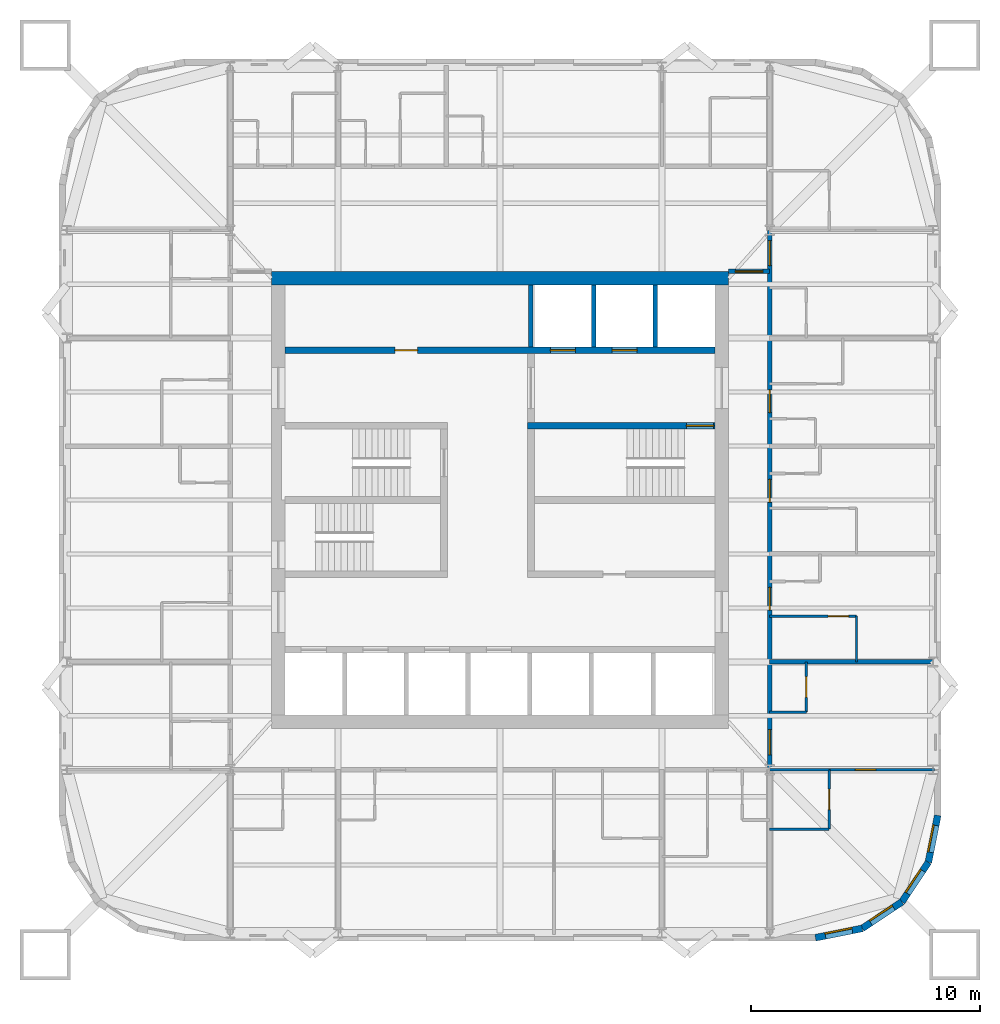
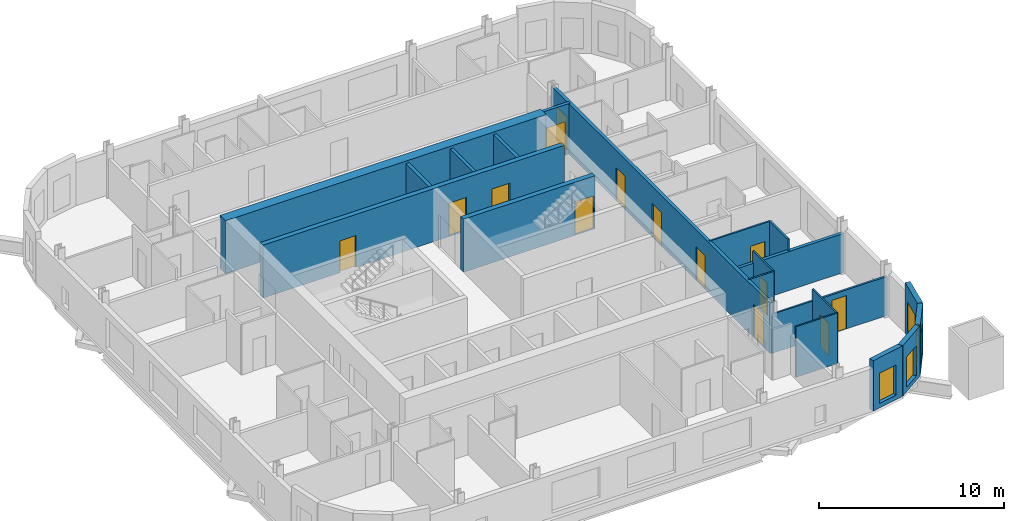
# One storey, part 5 of 9: 21 walls, 14 doors, 4 windows, 18 openings.
"""IFC4 building model written with IfcOpenShell, lengths in metres."""

from ifc_helpers import new_model, si_unit, direction, frame, frame_2d, origin, place, context, subcontext, project, spatial, rectangle, extrude, material, layer, layer_set, type_object, element, fill, save


model = new_model("IFC4")

# Units and contexts
model_context = context("Model", 3, precision=1e-05, world=origin(), true_north=direction((0.0, 1.0)))
body_context = subcontext(model_context, "Body", "Model", "MODEL_VIEW")
ifc_project = project(units=[si_unit("LENGTHUNIT", "METRE"), si_unit("AREAUNIT", "SQUARE_METRE"), si_unit("VOLUMEUNIT", "CUBIC_METRE"), si_unit("PLANEANGLEUNIT", "RADIAN"), si_unit("MASSUNIT", "GRAM", prefix="KILO")], contexts=[model_context])

# Site, building, storey
site_placement = place(None, origin())
site = spatial("IfcSite", under=ifc_project, at=site_placement, CompositionType="ELEMENT")
building_placement = place(site_placement, origin())
building = spatial("IfcBuilding", under=site, at=building_placement, Name="Turquesa Mirador Hotel Tower", CompositionType="ELEMENT")
storey_placement = place(building_placement, frame((0.0, 0.0, 203.800048828125)))
storey = spatial("IfcBuildingStorey", under=building, at=storey_placement, Name="L55", CompositionType="ELEMENT", Elevation=203.800048828125)

# Walls
ifc_material_1 = material(Name="Gypsum board on steel studs", Category="steel")
ifc_layer_1 = layer(ifc_material_1, 0.10009765625)
ifc_layer_set_1 = layer_set([ifc_layer_1], Name="BATHROOM WALL 100")
wall_type_1 = type_object("IfcWallType", Name="BATHROOM WALL 100", PredefinedType="PARTITIONING", material=ifc_layer_set_1)
wall_1_placement = place(storey_placement, frame((66.800048828125, 33.199951171875, 0.0), z_axis=(0.0, 0.0, 1.0), x_axis=(1.0, 0.0, 0.0)))
element("IfcWall", 1, at=wall_1_placement, inside=storey, type_object=wall_type_1, Name="Partition L55 002", PredefinedType="PARTITIONING", context=body_context, shape_type="SweptSolid", body=[
    extrude(rectangle(XDim=2.599853515625, YDim=0.10009765625, at=frame_2d((1.2998046875, 0.0))), origin(), (0.0, 0.0, 1.0), 2.572998046875),
])
wall_2_placement = place(storey_placement, frame((66.800048828125, 30.60009765625, 0.0), z_axis=(0.0, 0.0, 1.0), x_axis=(1.0, 0.0, 0.0)))
element("IfcWall", 2, at=wall_2_placement, inside=storey, type_object=wall_type_1, Name="Partition L55 009", PredefinedType="PARTITIONING", context=body_context, shape_type="SweptSolid", body=[
    extrude(rectangle(XDim=2.599853515625, YDim=0.10009765625, at=frame_2d((1.2998046875, 0.0))), origin(), (0.0, 0.0, 1.0), 3.329833984375),
])

# Wall, opening, door
wall_3_placement = place(storey_placement, frame((66.800048828125, 39.919921875, 0.0), z_axis=(0.0, 0.0, 1.0), x_axis=(1.0, 0.0, 0.0)))
wall_3 = element("IfcWall", 3, at=wall_3_placement, inside=storey, type_object=wall_type_1, Name="Partition L55 015", PredefinedType="PARTITIONING", context=body_context, shape_type="SweptSolid", body=[
    extrude(rectangle(XDim=3.800048828125, YDim=0.10009765625, at=frame_2d((1.89990234375, 0.0))), origin(), (0.0, 0.0, 1.0), 3.329833984375),
])
opening_1_placement = place(wall_3_placement, frame((2.550048828125, 0.0, 0.0)))
opening_1 = element("IfcOpeningElement", 4, at=opening_1_placement, cuts=wall_3, Name="Opening D02", PredefinedType="OPENING", context=body_context, shape_type="SweptSolid", body=[
    extrude(rectangle(XDim=0.89990234375, YDim=2.10009765625, at=frame_2d((0.449951171875, 1.050048828125))), frame((0.0, 0.06005859375, 0.0), z_axis=(0.0, -1.0, 0.0), x_axis=(1.0, 0.0, 0.0)), (0.0, 0.0, 1.0), 0.1201171875),
])
ifc_material_2 = material(Name="Timber veneered door", Category="wood")
door_type_1 = type_object("IfcDoorType", Name="DOOR 900X2100 EN-SUITE", OperationType="SINGLE_SWING_RIGHT", PredefinedType="DOOR", material=ifc_material_2)
door_1_placement = place(opening_1_placement, origin())
door_1 = element("IfcDoor", 5, at=door_1_placement, inside=storey, type_object=door_type_1, Name="Door 5507B", OperationType="SINGLE_SWING_RIGHT", OverallHeight=2.10009765625, OverallWidth=0.89990234375, PredefinedType="DOOR", context=body_context, shape_type="SweptSolid", body=[
    extrude(rectangle(XDim=0.89990234375, YDim=2.10009765625, at=frame_2d((0.449951171875, 1.050048828125))), frame((0.0, 0.02490234375, 0.0), z_axis=(0.0, -1.0, 0.0), x_axis=(1.0, 0.0, 0.0)), (0.0, 0.0, 1.0), 0.050048828125),
])
fill(opening_1, door_1)

# Wall
wall_4_placement = place(storey_placement, frame((66.800048828125, 35.719970703125, 0.0), z_axis=(0.0, 0.0, 1.0), x_axis=(1.0, 0.0, 0.0)))
element("IfcWall", 6, at=wall_4_placement, inside=storey, type_object=wall_type_1, Name="Partition L55 018", PredefinedType="PARTITIONING", context=body_context, shape_type="SweptSolid", body=[
    extrude(rectangle(XDim=1.599853515625, YDim=0.10009765625, at=frame_2d((0.7998046875, 0.0))), origin(), (0.0, 0.0, 1.0), 3.329833984375),
])

# Wall, opening, door
wall_5_placement = place(storey_placement, frame((68.39990234375, 35.719970703125, 0.0), z_axis=(0.0, 0.0, 1.0), x_axis=(0.0, 1.0, 0.0)))
wall_5 = element("IfcWall", 7, at=wall_5_placement, inside=storey, type_object=wall_type_1, Name="Partition L55 069", PredefinedType="PARTITIONING", context=body_context, shape_type="SweptSolid", body=[
    extrude(rectangle(XDim=2.199951171875, YDim=0.10009765625, at=frame_2d((1.10009765625, 0.0))), origin(), (0.0, 0.0, 1.0), 3.329833984375),
])
opening_2_placement = place(wall_5_placement, frame((0.64990234375, 0.0, 0.0)))
opening_2 = element("IfcOpeningElement", 8, at=opening_2_placement, cuts=wall_5, Name="Opening D06", PredefinedType="OPENING", context=body_context, shape_type="SweptSolid", body=[
    extrude(rectangle(XDim=0.89990234375, YDim=2.10009765625, at=frame_2d((0.449951171875, 1.050048828125))), frame((0.0, 0.06005859375, 0.0), z_axis=(0.0, -1.0, 0.0), x_axis=(1.0, 0.0, 0.0)), (0.0, 0.0, 1.0), 0.1201171875),
])
ifc_material_3 = material(Name="Laminate door", Category="wood")
door_type_2 = type_object("IfcDoorType", Name="DOOR 900X2100 WC", OperationType="SINGLE_SWING_LEFT", PredefinedType="DOOR", material=ifc_material_3)
door_2_placement = place(opening_2_placement, origin())
door_2 = element("IfcDoor", 9, at=door_2_placement, inside=storey, type_object=door_type_2, Name="Door 5515W", OperationType="SINGLE_SWING_LEFT", OverallHeight=2.10009765625, OverallWidth=0.89990234375, PredefinedType="DOOR", context=body_context, shape_type="SweptSolid", body=[
    extrude(rectangle(XDim=0.89990234375, YDim=2.10009765625, at=frame_2d((0.449951171875, 1.050048828125))), frame((0.0, 0.02490234375, 0.0), z_axis=(0.0, -1.0, 0.0), x_axis=(1.0, 0.0, 0.0)), (0.0, 0.0, 1.0), 0.050048828125),
])
fill(opening_2, door_2)

wall_6_placement = place(storey_placement, frame((69.39990234375, 30.60009765625, 0.0), z_axis=(0.0, 0.0, 1.0), x_axis=(0.0, 1.0, 0.0)))
wall_6 = element("IfcWall", 10, at=wall_6_placement, inside=storey, type_object=wall_type_1, Name="Partition L55 074", PredefinedType="PARTITIONING", context=body_context, shape_type="SweptSolid", body=[
    extrude(rectangle(XDim=2.599853515625, YDim=0.10009765625, at=frame_2d((1.2998046875, 0.0))), origin(), (0.0, 0.0, 1.0), 3.329833984375),
])
opening_3_placement = place(wall_6_placement, frame((0.85009765625, 0.0, 0.0)))
opening_3 = element("IfcOpeningElement", 11, at=opening_3_placement, cuts=wall_6, Name="Opening D02", PredefinedType="OPENING", context=body_context, shape_type="SweptSolid", body=[
    extrude(rectangle(XDim=0.89990234375, YDim=2.10009765625, at=frame_2d((0.449951171875, 1.050048828125))), frame((0.0, 0.06005859375, 0.0), z_axis=(0.0, -1.0, 0.0), x_axis=(1.0, 0.0, 0.0)), (0.0, 0.0, 1.0), 0.1201171875),
])
door_3_placement = place(opening_3_placement, origin())
door_3 = element("IfcDoor", 12, at=door_3_placement, inside=storey, type_object=door_type_1, Name="Door 5515B", OperationType="SINGLE_SWING_RIGHT", OverallHeight=2.10009765625, OverallWidth=0.89990234375, PredefinedType="DOOR", context=body_context, shape_type="SweptSolid", body=[
    extrude(rectangle(XDim=0.89990234375, YDim=2.10009765625, at=frame_2d((0.449951171875, 1.050048828125))), frame((0.0, 0.02490234375, 0.0), z_axis=(0.0, -1.0, 0.0), x_axis=(1.0, 0.0, 0.0)), (0.0, 0.0, 1.0), 0.050048828125),
])
fill(opening_3, door_3)

# Wall
wall_7_placement = place(storey_placement, frame((70.60009765625, 37.919921875, 0.0), z_axis=(0.0, 0.0, 1.0), x_axis=(0.0, 1.0, 0.0)))
element("IfcWall", 13, at=wall_7_placement, inside=storey, type_object=wall_type_1, Name="Partition L55 077", PredefinedType="PARTITIONING", context=body_context, shape_type="SweptSolid", body=[
    extrude(rectangle(XDim=2.0, YDim=0.10009765625, at=frame_2d((1.0, 0.0))), origin(), (0.0, 0.0, 1.0), 3.329833984375),
])

# Wall, openings, doors
ifc_material_4 = material(Name="Concrete C50/60", Category="concrete")
ifc_layer_2 = layer(ifc_material_4, 0.300048828125)
ifc_layer_set_2 = layer_set([ifc_layer_2], Name="CORE INNER WALL 300")
wall_type_2 = type_object("IfcWallType", Name="CORE INNER WALL 300", PredefinedType="SHEAR", material=ifc_layer_set_2)
wall_8_placement = place(storey_placement, frame((45.60009765625, 51.550048828125, 0.0), z_axis=(0.0, 0.0, 1.0), x_axis=(1.0, 0.0, 0.0)))
wall_8 = element("IfcWall", 14, at=wall_8_placement, inside=storey, type_object=wall_type_2, Name="Core wall NL", PredefinedType="SHEAR", context=body_context, shape_type="SweptSolid", body=[
    extrude(rectangle(XDim=18.7998046875, YDim=0.300048828125, at=frame_2d((9.39990234375, 0.0))), origin(), (0.0, 0.0, 1.0), 3.5),
])
opening_4_placement = place(wall_8_placement, frame((4.800048828125, 0.0, 0.0)))
opening_4 = element("IfcOpeningElement", 15, at=opening_4_placement, cuts=wall_8, Name="Opening D05", PredefinedType="OPENING", context=body_context, shape_type="SweptSolid", body=[
    extrude(rectangle(XDim=1.0, YDim=2.10009765625, at=frame_2d((0.5, 1.050048828125))), frame((0.0, 0.159912109375, 0.0), z_axis=(0.0, -1.0, 0.0), x_axis=(1.0, 0.0, 0.0)), (0.0, 0.0, 1.0), 0.320068359375),
])
opening_5_placement = place(wall_8_placement, frame((11.60009765625, 0.0, 0.0)))
opening_5 = element("IfcOpeningElement", 16, at=opening_5_placement, cuts=wall_8, Name="Opening LD", PredefinedType="OPENING", context=body_context, shape_type="SweptSolid", body=[
    extrude(rectangle(XDim=1.10009765625, YDim=2.199951171875, at=frame_2d((0.550048828125, 1.10009765625))), frame((0.0, 0.159912109375, 0.0), z_axis=(0.0, -1.0, 0.0), x_axis=(1.0, 0.0, 0.0)), (0.0, 0.0, 1.0), 0.320068359375),
])
opening_6_placement = place(wall_8_placement, frame((14.300048828125, 0.0, 0.0)))
opening_6 = element("IfcOpeningElement", 17, at=opening_6_placement, cuts=wall_8, Name="Opening LD", PredefinedType="OPENING", context=body_context, shape_type="SweptSolid", body=[
    extrude(rectangle(XDim=1.10009765625, YDim=2.199951171875, at=frame_2d((0.550048828125, 1.10009765625))), frame((0.0, 0.159912109375, 0.0), z_axis=(0.0, -1.0, 0.0), x_axis=(1.0, 0.0, 0.0)), (0.0, 0.0, 1.0), 0.320068359375),
])
ifc_material_5 = material(Name="Steel fire door", Category="steel")
door_type_3 = type_object("IfcDoorType", Name="DOOR 1000X2100 SERVICE", OperationType="SINGLE_SWING_LEFT", PredefinedType="DOOR", material=ifc_material_5)
door_4_placement = place(opening_4_placement, origin())
door_4 = element("IfcDoor", 18, at=door_4_placement, inside=storey, type_object=door_type_3, Name="Linen store door", OperationType="SINGLE_SWING_LEFT", OverallHeight=2.10009765625, OverallWidth=1.0, PredefinedType="DOOR", context=body_context, shape_type="SweptSolid", body=[
    extrude(rectangle(XDim=1.0, YDim=2.10009765625, at=frame_2d((0.5, 1.050048828125))), frame((0.0, 0.02490234375, 0.0), z_axis=(0.0, -1.0, 0.0), x_axis=(1.0, 0.0, 0.0)), (0.0, 0.0, 1.0), 0.050048828125),
])
fill(opening_4, door_4)
ifc_material_6 = material(Name="Stainless steel lift landing door", Category="steel")
door_type_4 = type_object("IfcDoorType", Name="LIFT LANDING DOOR 1100X2200", OperationType="SLIDING_TO_LEFT", PredefinedType="DOOR", material=ifc_material_6)
door_5_placement = place(opening_5_placement, origin())
door_5 = element("IfcDoor", 19, at=door_5_placement, inside=storey, type_object=door_type_4, Name="Lift S1 landing door", OperationType="SLIDING_TO_LEFT", OverallHeight=2.199951171875, OverallWidth=1.10009765625, PredefinedType="DOOR", context=body_context, shape_type="SweptSolid", body=[
    extrude(rectangle(XDim=1.10009765625, YDim=2.199951171875, at=frame_2d((0.550048828125, 1.10009765625))), frame((0.0, 0.02490234375, 0.0), z_axis=(0.0, -1.0, 0.0), x_axis=(1.0, 0.0, 0.0)), (0.0, 0.0, 1.0), 0.050048828125),
])
fill(opening_5, door_5)
door_6_placement = place(opening_6_placement, origin())
door_6 = element("IfcDoor", 20, at=door_6_placement, inside=storey, type_object=door_type_4, Name="Lift S2 landing door", OperationType="SLIDING_TO_LEFT", OverallHeight=2.199951171875, OverallWidth=1.10009765625, PredefinedType="DOOR", context=body_context, shape_type="SweptSolid", body=[
    extrude(rectangle(XDim=1.10009765625, YDim=2.199951171875, at=frame_2d((0.550048828125, 1.10009765625))), frame((0.0, 0.02490234375, 0.0), z_axis=(0.0, -1.0, 0.0), x_axis=(1.0, 0.0, 0.0)), (0.0, 0.0, 1.0), 0.050048828125),
])
fill(opening_6, door_6)

# Wall, opening, door
wall_9_placement = place(storey_placement, frame((56.199951171875, 48.25, 0.0), z_axis=(0.0, 0.0, 1.0), x_axis=(1.0, 0.0, 0.0)))
wall_9 = element("IfcWall", 21, at=wall_9_placement, inside=storey, type_object=wall_type_2, Name="Core wall MN-E", PredefinedType="SHEAR", context=body_context, shape_type="SweptSolid", body=[
    extrude(rectangle(XDim=8.199951171875, YDim=0.300048828125, at=frame_2d((4.10009765625, 0.0))), origin(), (0.0, 0.0, 1.0), 3.5),
])
opening_7_placement = place(wall_9_placement, frame((6.949951171875, 0.0, 0.0)))
opening_7 = element("IfcOpeningElement", 22, at=opening_7_placement, cuts=wall_9, Name="Opening D03", PredefinedType="OPENING", context=body_context, shape_type="SweptSolid", body=[
    extrude(rectangle(XDim=1.199951171875, YDim=2.199951171875, at=frame_2d((0.60009765625, 1.10009765625))), frame((0.0, 0.159912109375, 0.0), z_axis=(0.0, -1.0, 0.0), x_axis=(1.0, 0.0, 0.0)), (0.0, 0.0, 1.0), 0.320068359375),
])
ifc_material_7 = material(Name="Steel fire door", Category="steel")
door_type_5 = type_object("IfcDoorType", Name="DOOR 1200X2200 STAIR", OperationType="SINGLE_SWING_LEFT", PredefinedType="DOOR", material=ifc_material_7)
door_7_placement = place(opening_7_placement, origin())
door_7 = element("IfcDoor", 23, at=door_7_placement, inside=storey, type_object=door_type_5, Name="Stair ST3 door", OperationType="SINGLE_SWING_LEFT", OverallHeight=2.199951171875, OverallWidth=1.199951171875, PredefinedType="DOOR", context=body_context, shape_type="SweptSolid", body=[
    extrude(rectangle(XDim=1.199951171875, YDim=2.199951171875, at=frame_2d((0.60009765625, 1.10009765625))), frame((0.0, 0.02490234375, 0.0), z_axis=(0.0, -1.0, 0.0), x_axis=(1.0, 0.0, 0.0)), (0.0, 0.0, 1.0), 0.050048828125),
])
fill(opening_7, door_7)

# Wall
ifc_material_8 = material(Name="Concrete C50/60", Category="concrete")
ifc_layer_3 = layer(ifc_material_8, 0.60009765625)
ifc_layer_set_3 = layer_set([ifc_layer_3], Name="CORE WALL 600")
wall_type_3 = type_object("IfcWallType", Name="CORE WALL 600", PredefinedType="SHEAR", material=ifc_layer_set_3)
wall_10_placement = place(storey_placement, frame((45.0, 54.699951171875, 0.0), z_axis=(0.0, 0.0, 1.0), x_axis=(1.0, 0.0, 0.0)))
element("IfcWall", 24, at=wall_10_placement, inside=storey, type_object=wall_type_3, Name="Core wall N", PredefinedType="SHEAR", context=body_context, shape_type="SweptSolid", body=[
    extrude(rectangle(XDim=20.0, YDim=0.60009765625, at=frame_2d((10.0, 0.0))), origin(), (0.0, 0.0, 1.0), 3.5),
])

# Wall, opening, door
ifc_material_9 = material(Name="Fire-rated gypsum board on steel studs", Category="steel")
ifc_layer_4 = layer(ifc_material_9, 0.199951171875)
ifc_layer_set_4 = layer_set([ifc_layer_4], Name="CORRIDOR WALL 200")
wall_type_4 = type_object("IfcWallType", Name="CORRIDOR WALL 200", PredefinedType="PARTITIONING", material=ifc_layer_set_4)
wall_11_placement = place(storey_placement, frame((65.0, 55.0, 0.0), z_axis=(0.0, 0.0, 1.0), x_axis=(1.0, 0.0, 0.0)))
wall_11 = element("IfcWall", 25, at=wall_11_placement, inside=storey, type_object=wall_type_4, Name="Partition L55 023", PredefinedType="PARTITIONING", context=body_context, shape_type="SweptSolid", body=[
    extrude(rectangle(XDim=1.800048828125, YDim=0.199951171875, at=frame_2d((0.89990234375, 0.0))), origin(), (0.0, 0.0, 1.0), 3.329833984375),
])
opening_8_placement = place(wall_11_placement, frame((0.300048828125, 0.0, 0.0)))
opening_8 = element("IfcOpeningElement", 26, at=opening_8_placement, cuts=wall_11, Name="Opening D19", PredefinedType="OPENING", context=body_context, shape_type="SweptSolid", body=[
    extrude(rectangle(XDim=1.199951171875, YDim=2.199951171875, at=frame_2d((0.60009765625, 1.10009765625))), frame((0.0, 0.10986328125, 0.0), z_axis=(0.0, -1.0, 0.0), x_axis=(1.0, 0.0, 0.0)), (0.0, 0.0, 1.0), 0.219970703125),
])
ifc_material_10 = material(Name="Steel glazed fire door", Category="steel")
door_type_6 = type_object("IfcDoorType", Name="DOOR 1200X2200 FIRE DOOR GLAZED", OperationType="SINGLE_SWING_LEFT", PredefinedType="DOOR", material=ifc_material_10)
door_8_placement = place(opening_8_placement, origin())
door_8 = element("IfcDoor", 27, at=door_8_placement, inside=storey, type_object=door_type_6, Name="Door L55-C03-1", OperationType="SINGLE_SWING_LEFT", OverallHeight=2.199951171875, OverallWidth=1.199951171875, PredefinedType="DOOR", context=body_context, shape_type="SweptSolid", body=[
    extrude(rectangle(XDim=1.199951171875, YDim=2.199951171875, at=frame_2d((0.60009765625, 1.10009765625))), frame((0.0, 0.02490234375, 0.0), z_axis=(0.0, -1.0, 0.0), x_axis=(1.0, 0.0, 0.0)), (0.0, 0.0, 1.0), 0.050048828125),
])
fill(opening_8, door_8)

# Wall, openings, doors
wall_12_placement = place(storey_placement, frame((66.800048828125, 33.199951171875, 0.0), z_axis=(0.0, 0.0, 1.0), x_axis=(0.0, 1.0, 0.0)))
wall_12 = element("IfcWall", 28, at=wall_12_placement, inside=storey, type_object=wall_type_4, Name="Partition L55 066", PredefinedType="PARTITIONING", context=body_context, shape_type="SweptSolid", body=[
    extrude(rectangle(XDim=23.580078125, YDim=0.199951171875, at=frame_2d((11.7900390625, 0.0))), origin(), (0.0, 0.0, 1.0), 3.329833984375),
])
opening_9_placement = place(wall_12_placement, frame((6.97998046875, 0.0, 0.0)))
opening_9 = element("IfcOpeningElement", 29, at=opening_9_placement, cuts=wall_12, Name="Opening D01", PredefinedType="OPENING", context=body_context, shape_type="SweptSolid", body=[
    extrude(rectangle(XDim=1.0, YDim=2.199951171875, at=frame_2d((0.5, 1.10009765625))), frame((0.0, 0.10986328125, 0.0), z_axis=(0.0, -1.0, 0.0), x_axis=(1.0, 0.0, 0.0)), (0.0, 0.0, 1.0), 0.219970703125),
])
opening_10_placement = place(wall_12_placement, frame((11.699951171875, 0.0, 0.0)))
opening_10 = element("IfcOpeningElement", 30, at=opening_10_placement, cuts=wall_12, Name="Opening D01", PredefinedType="OPENING", context=body_context, shape_type="SweptSolid", body=[
    extrude(rectangle(XDim=1.0, YDim=2.199951171875, at=frame_2d((0.5, 1.10009765625))), frame((0.0, 0.10986328125, 0.0), z_axis=(0.0, -1.0, 0.0), x_axis=(1.0, 0.0, 0.0)), (0.0, 0.0, 1.0), 0.219970703125),
])
opening_11_placement = place(wall_12_placement, frame((15.6201171875, 0.0, 0.0)))
opening_11 = element("IfcOpeningElement", 31, at=opening_11_placement, cuts=wall_12, Name="Opening D01", PredefinedType="OPENING", context=body_context, shape_type="SweptSolid", body=[
    extrude(rectangle(XDim=1.0, YDim=2.199951171875, at=frame_2d((0.5, 1.10009765625))), frame((0.0, 0.10986328125, 0.0), z_axis=(0.0, -1.0, 0.0), x_axis=(1.0, 0.0, 0.0)), (0.0, 0.0, 1.0), 0.219970703125),
])
opening_12_placement = place(wall_12_placement, frame((22.050048828125, 0.0, 0.0)))
opening_12 = element("IfcOpeningElement", 32, at=opening_12_placement, cuts=wall_12, Name="Opening D15", PredefinedType="OPENING", context=body_context, shape_type="SweptSolid", body=[
    extrude(rectangle(XDim=1.10009765625, YDim=2.199951171875, at=frame_2d((0.550048828125, 1.10009765625))), frame((0.0, 0.10986328125, 0.0), z_axis=(0.0, -1.0, 0.0), x_axis=(1.0, 0.0, 0.0)), (0.0, 0.0, 1.0), 0.219970703125),
])
opening_13_placement = place(wall_12_placement, frame((0.64990234375, 0.0, 0.0)))
opening_13 = element("IfcOpeningElement", 33, at=opening_13_placement, cuts=wall_12, Name="Opening D15", PredefinedType="OPENING", context=body_context, shape_type="SweptSolid", body=[
    extrude(rectangle(XDim=1.10009765625, YDim=2.199951171875, at=frame_2d((0.550048828125, 1.10009765625))), frame((0.0, 0.10986328125, 0.0), z_axis=(0.0, -1.0, 0.0), x_axis=(1.0, 0.0, 0.0)), (0.0, 0.0, 1.0), 0.219970703125),
])
ifc_material_11 = material(Name="Timber veneered fire door", Category="wood")
door_type_7 = type_object("IfcDoorType", Name="DOOR 1000X2200 GUEST ENTRY", OperationType="SINGLE_SWING_LEFT", PredefinedType="DOOR", material=ifc_material_11)
door_9_placement = place(opening_9_placement, origin())
door_9 = element("IfcDoor", 34, at=door_9_placement, inside=storey, type_object=door_type_7, Name="Door 5507", OperationType="SINGLE_SWING_LEFT", OverallHeight=2.199951171875, OverallWidth=1.0, PredefinedType="DOOR", context=body_context, shape_type="SweptSolid", body=[
    extrude(rectangle(XDim=1.0, YDim=2.199951171875, at=frame_2d((0.5, 1.10009765625))), frame((0.0, 0.02490234375, 0.0), z_axis=(0.0, -1.0, 0.0), x_axis=(1.0, 0.0, 0.0)), (0.0, 0.0, 1.0), 0.050048828125),
])
fill(opening_9, door_9)
door_10_placement = place(opening_10_placement, origin())
door_10 = element("IfcDoor", 35, at=door_10_placement, inside=storey, type_object=door_type_7, Name="Door 5508", OperationType="SINGLE_SWING_LEFT", OverallHeight=2.199951171875, OverallWidth=1.0, PredefinedType="DOOR", context=body_context, shape_type="SweptSolid", body=[
    extrude(rectangle(XDim=1.0, YDim=2.199951171875, at=frame_2d((0.5, 1.10009765625))), frame((0.0, 0.02490234375, 0.0), z_axis=(0.0, -1.0, 0.0), x_axis=(1.0, 0.0, 0.0)), (0.0, 0.0, 1.0), 0.050048828125),
])
fill(opening_10, door_10)
door_11_placement = place(opening_11_placement, origin())
door_11 = element("IfcDoor", 36, at=door_11_placement, inside=storey, type_object=door_type_7, Name="Door 5509", OperationType="SINGLE_SWING_LEFT", OverallHeight=2.199951171875, OverallWidth=1.0, PredefinedType="DOOR", context=body_context, shape_type="SweptSolid", body=[
    extrude(rectangle(XDim=1.0, YDim=2.199951171875, at=frame_2d((0.5, 1.10009765625))), frame((0.0, 0.02490234375, 0.0), z_axis=(0.0, -1.0, 0.0), x_axis=(1.0, 0.0, 0.0)), (0.0, 0.0, 1.0), 0.050048828125),
])
fill(opening_11, door_11)
ifc_material_12 = material(Name="Timber veneered fire door", Category="wood")
door_type_8 = type_object("IfcDoorType", Name="DOOR 1100X2200 SUITE ENTRY", OperationType="SINGLE_SWING_LEFT", PredefinedType="DOOR", material=ifc_material_12)
door_12_placement = place(opening_12_placement, origin())
door_12 = element("IfcDoor", 37, at=door_12_placement, inside=storey, type_object=door_type_8, Name="Door 5512", OperationType="SINGLE_SWING_LEFT", OverallHeight=2.199951171875, OverallWidth=1.10009765625, PredefinedType="DOOR", context=body_context, shape_type="SweptSolid", body=[
    extrude(rectangle(XDim=1.10009765625, YDim=2.199951171875, at=frame_2d((0.550048828125, 1.10009765625))), frame((0.0, 0.02490234375, 0.0), z_axis=(0.0, -1.0, 0.0), x_axis=(1.0, 0.0, 0.0)), (0.0, 0.0, 1.0), 0.050048828125),
])
fill(opening_12, door_12)
door_13_placement = place(opening_13_placement, origin())
door_13 = element("IfcDoor", 38, at=door_13_placement, inside=storey, type_object=door_type_8, Name="Door 5515", OperationType="SINGLE_SWING_LEFT", OverallHeight=2.199951171875, OverallWidth=1.10009765625, PredefinedType="DOOR", context=body_context, shape_type="SweptSolid", body=[
    extrude(rectangle(XDim=1.10009765625, YDim=2.199951171875, at=frame_2d((0.550048828125, 1.10009765625))), frame((0.0, 0.02490234375, 0.0), z_axis=(0.0, -1.0, 0.0), x_axis=(1.0, 0.0, 0.0)), (0.0, 0.0, 1.0), 0.050048828125),
])
fill(opening_13, door_13)

# Wall, opening, window
ifc_material_13 = material(Name="Limestone cladding on concrete block", Category="masonry")
ifc_layer_5 = layer(ifc_material_13, 0.300048828125)
ifc_layer_set_5 = layer_set([ifc_layer_5], Name="FACADE WALL 300 STONE SCREEN")
wall_type_5 = type_object("IfcWallType", Name="FACADE WALL 300 STONE SCREEN", PredefinedType="SOLIDWALL", material=ifc_layer_set_5)
wall_13_placement = place(storey_placement, frame((68.800048828125, 25.85009765625, 0.0), z_axis=(0.0, 0.0, 1.0), x_axis=(0.980787050784, 0.195081421501, 0.0)))
wall_13 = element("IfcWall", 39, at=wall_13_placement, inside=storey, type_object=wall_type_5, Name="Facade wall L55 00", PredefinedType="SOLIDWALL", context=body_context, shape_type="SweptSolid", body=[
    extrude(rectangle(XDim=2.08740234375, YDim=0.300048828125, at=frame_2d((1.043701171875, 0.0))), origin(), (0.0, 0.0, 1.0), 3.329833984375),
])
opening_14_placement = place(wall_13_placement, frame((0.443603515625, 0.0, 0.300048828125)))
opening_14 = element("IfcOpeningElement", 40, at=opening_14_placement, cuts=wall_13, Name="Opening WN4", PredefinedType="OPENING", context=body_context, shape_type="SweptSolid", body=[
    extrude(rectangle(XDim=1.199951171875, YDim=2.0, at=frame_2d((0.60009765625, 1.0))), frame((0.0, 0.159912109375, 0.0), z_axis=(0.0, -1.0, 0.0), x_axis=(1.0, 0.0, 0.0)), (0.0, 0.0, 1.0), 0.320068359375),
])
ifc_material_14 = material(Name="Ceramic-fritted laminated glass", Category="glass")
window_type = type_object("IfcWindowType", Name="FRITTED CORNER WINDOW 1200X2000", PartitioningType="DOUBLE_PANEL_HORIZONTAL", PredefinedType="WINDOW", material=ifc_material_14)
window_1_placement = place(opening_14_placement, origin())
window_1 = element("IfcWindow", 41, at=window_1_placement, inside=storey, type_object=window_type, Name="Window L55", OverallHeight=2.0, OverallWidth=1.199951171875, PartitioningType="SINGLE_PANEL", PredefinedType="WINDOW", context=body_context, shape_type="SweptSolid", body=[
    extrude(rectangle(XDim=1.199951171875, YDim=2.0, at=frame_2d((0.60009765625, 1.0))), frame((0.0, 0.130126953125, 0.0), z_axis=(0.0, -1.0, 0.0), x_axis=(1.0, 0.0, 0.0)), (0.0, 0.0, 1.0), 0.06005859375),
])
fill(opening_14, window_1)

wall_14_placement = place(storey_placement, frame((70.847412109375, 26.25732421875, 0.0), z_axis=(0.0, 0.0, 1.0), x_axis=(0.831474039234, 0.555563607591, 0.0)))
wall_14 = element("IfcWall", 42, at=wall_14_placement, inside=storey, type_object=wall_type_5, Name="Facade wall L55 01", PredefinedType="SOLIDWALL", context=body_context, shape_type="SweptSolid", body=[
    extrude(rectangle(XDim=2.08740234375, YDim=0.300048828125, at=frame_2d((1.043701171875, 0.0))), origin(), (0.0, 0.0, 1.0), 3.329833984375),
])
opening_15_placement = place(wall_14_placement, frame((0.443603515625, 0.0, 0.300048828125)))
opening_15 = element("IfcOpeningElement", 43, at=opening_15_placement, cuts=wall_14, Name="Opening WN4", PredefinedType="OPENING", context=body_context, shape_type="SweptSolid", body=[
    extrude(rectangle(XDim=1.199951171875, YDim=2.0, at=frame_2d((0.60009765625, 1.0))), frame((0.0, 0.159912109375, 0.0), z_axis=(0.0, -1.0, 0.0), x_axis=(1.0, 0.0, 0.0)), (0.0, 0.0, 1.0), 0.320068359375),
])
window_2_placement = place(opening_15_placement, origin())
window_2 = element("IfcWindow", 44, at=window_2_placement, inside=storey, type_object=window_type, Name="Window L55", OverallHeight=2.0, OverallWidth=1.199951171875, PartitioningType="SINGLE_PANEL", PredefinedType="WINDOW", context=body_context, shape_type="SweptSolid", body=[
    extrude(rectangle(XDim=1.199951171875, YDim=2.0, at=frame_2d((0.60009765625, 1.0))), frame((0.0, 0.130126953125, 0.0), z_axis=(0.0, -1.0, 0.0), x_axis=(1.0, 0.0, 0.0)), (0.0, 0.0, 1.0), 0.06005859375),
])
fill(opening_15, window_2)

wall_15_placement = place(storey_placement, frame((72.5830078125, 27.4169921875, 0.0), z_axis=(0.0, 0.0, 1.0), x_axis=(0.555563607591, 0.831474039234, 0.0)))
wall_15 = element("IfcWall", 45, at=wall_15_placement, inside=storey, type_object=wall_type_5, Name="Facade wall L55 02", PredefinedType="SOLIDWALL", context=body_context, shape_type="SweptSolid", body=[
    extrude(rectangle(XDim=2.08740234375, YDim=0.300048828125, at=frame_2d((1.043701171875, 0.0))), origin(), (0.0, 0.0, 1.0), 3.329833984375),
])
opening_16_placement = place(wall_15_placement, frame((0.443603515625, 0.0, 0.300048828125)))
opening_16 = element("IfcOpeningElement", 46, at=opening_16_placement, cuts=wall_15, Name="Opening WN4", PredefinedType="OPENING", context=body_context, shape_type="SweptSolid", body=[
    extrude(rectangle(XDim=1.199951171875, YDim=2.0, at=frame_2d((0.60009765625, 1.0))), frame((0.0, 0.159912109375, 0.0), z_axis=(0.0, -1.0, 0.0), x_axis=(1.0, 0.0, 0.0)), (0.0, 0.0, 1.0), 0.320068359375),
])
window_3_placement = place(opening_16_placement, origin())
window_3 = element("IfcWindow", 47, at=window_3_placement, inside=storey, type_object=window_type, Name="Window L55", OverallHeight=2.0, OverallWidth=1.199951171875, PartitioningType="SINGLE_PANEL", PredefinedType="WINDOW", context=body_context, shape_type="SweptSolid", body=[
    extrude(rectangle(XDim=1.199951171875, YDim=2.0, at=frame_2d((0.60009765625, 1.0))), frame((0.0, 0.130126953125, 0.0), z_axis=(0.0, -1.0, 0.0), x_axis=(1.0, 0.0, 0.0)), (0.0, 0.0, 1.0), 0.06005859375),
])
fill(opening_16, window_3)

wall_16_placement = place(storey_placement, frame((73.74267578125, 29.152587890625, 0.0), z_axis=(0.0, 0.0, 1.0), x_axis=(0.195081421501, 0.980787050784, 0.0)))
wall_16 = element("IfcWall", 48, at=wall_16_placement, inside=storey, type_object=wall_type_5, Name="Facade wall L55 03", PredefinedType="SOLIDWALL", context=body_context, shape_type="SweptSolid", body=[
    extrude(rectangle(XDim=2.08740234375, YDim=0.300048828125, at=frame_2d((1.043701171875, 0.0))), origin(), (0.0, 0.0, 1.0), 3.329833984375),
])
opening_17_placement = place(wall_16_placement, frame((0.443603515625, 0.0, 0.300048828125)))
opening_17 = element("IfcOpeningElement", 49, at=opening_17_placement, cuts=wall_16, Name="Opening WN4", PredefinedType="OPENING", context=body_context, shape_type="SweptSolid", body=[
    extrude(rectangle(XDim=1.199951171875, YDim=2.0, at=frame_2d((0.60009765625, 1.0))), frame((0.0, 0.159912109375, 0.0), z_axis=(0.0, -1.0, 0.0), x_axis=(1.0, 0.0, 0.0)), (0.0, 0.0, 1.0), 0.320068359375),
])
window_4_placement = place(opening_17_placement, origin())
window_4 = element("IfcWindow", 50, at=window_4_placement, inside=storey, type_object=window_type, Name="Window L55", OverallHeight=2.0, OverallWidth=1.199951171875, PartitioningType="SINGLE_PANEL", PredefinedType="WINDOW", context=body_context, shape_type="SweptSolid", body=[
    extrude(rectangle(XDim=1.199951171875, YDim=2.0, at=frame_2d((0.60009765625, 1.0))), frame((0.0, 0.130126953125, 0.0), z_axis=(0.0, -1.0, 0.0), x_axis=(1.0, 0.0, 0.0)), (0.0, 0.0, 1.0), 0.06005859375),
])
fill(opening_17, window_4)

# Walls
ifc_material_15 = material(Name="Fire-rated gypsum shaft wall on steel studs", Category="steel")
ifc_layer_6 = layer(ifc_material_15, 0.199951171875)
ifc_layer_set_6 = layer_set([ifc_layer_6], Name="LIFT SHAFT DIVIDER 200")
wall_type_6 = type_object("IfcWallType", Name="LIFT SHAFT DIVIDER 200", PredefinedType="PARTITIONING", material=ifc_layer_set_6)
for number, where, z_axis, x_axis, name in (
    (51, (59.10009765625, 51.699951171875, 0.0), (0.0, 0.0, 1.0), (0.0, 1.0, 0.0), "Lift shaft divider"),
    (52, (61.800048828125, 51.699951171875, 0.0), (0.0, 0.0, 1.0), (0.0, 1.0, 0.0), "Lift shaft divider"),
    (53, (56.35009765625, 51.699951171875, 0.0), (0.0, 0.0, 1.0), (0.0, 1.0, 0.0), "Lift shaft divider"),
):
    element("IfcWall", number, at=place(storey_placement, frame(where, z_axis=z_axis, x_axis=x_axis)), inside=storey, type_object=wall_type_6, Name=name, PredefinedType="PARTITIONING", context=body_context, shape_type="SweptSolid", body=[
        extrude(rectangle(XDim=2.699951171875, YDim=0.199951171875, at=frame_2d((1.35009765625, 0.0))), origin(), (0.0, 0.0, 1.0), 3.329833984375),
    ])
ifc_material_16 = material(Name="Fire-rated gypsum board on steel studs", Category="steel")
ifc_layer_7 = layer(ifc_material_16, 0.199951171875)
ifc_layer_set_7 = layer_set([ifc_layer_7], Name="PARTY WALL 200")
wall_type_7 = type_object("IfcWallType", Name="PARTY WALL 200", PredefinedType="PARTITIONING", material=ifc_layer_set_7)
wall_17_placement = place(storey_placement, frame((66.800048828125, 37.919921875, 0.0), z_axis=(0.0, 0.0, 1.0), x_axis=(1.0, 0.0, 0.0)))
element("IfcWall", 54, at=wall_17_placement, inside=storey, type_object=wall_type_7, Name="Partition L55 017", PredefinedType="PARTITIONING", context=body_context, shape_type="SweptSolid", body=[
    extrude(rectangle(XDim=7.199951171875, YDim=0.199951171875, at=frame_2d((3.60009765625, 0.0))), origin(), (0.0, 0.0, 1.0), 2.572998046875),
])

# Wall, opening, door
ifc_material_17 = material(Name="Acoustic gypsum board on steel studs", Category="steel")
ifc_layer_8 = layer(ifc_material_17, 0.125)
ifc_layer_set_8 = layer_set([ifc_layer_8], Name="SUITE PARTITION 125")
wall_type_8 = type_object("IfcWallType", Name="SUITE PARTITION 125", PredefinedType="PARTITIONING", material=ifc_layer_set_8)
wall_18_placement = place(storey_placement, frame((69.39990234375, 33.199951171875, 0.0), z_axis=(0.0, 0.0, 1.0), x_axis=(1.0, 0.0, 0.0)))
wall_18 = element("IfcWall", 55, at=wall_18_placement, inside=storey, type_object=wall_type_8, Name="Partition L55 005", PredefinedType="PARTITIONING", context=body_context, shape_type="SweptSolid", body=[
    extrude(rectangle(XDim=4.60009765625, YDim=0.125, at=frame_2d((2.300048828125, 0.0))), origin(), (0.0, 0.0, 1.0), 2.572998046875),
])
opening_18_placement = place(wall_18_placement, frame((1.14990234375, 0.0, 0.0)))
opening_18 = element("IfcOpeningElement", 56, at=opening_18_placement, cuts=wall_18, Name="Opening D17", PredefinedType="OPENING", context=body_context, shape_type="SweptSolid", body=[
    extrude(rectangle(XDim=0.89990234375, YDim=2.199951171875, at=frame_2d((0.449951171875, 1.10009765625))), frame((0.0, 0.072509765625, 0.0), z_axis=(0.0, -1.0, 0.0), x_axis=(1.0, 0.0, 0.0)), (0.0, 0.0, 1.0), 0.14501953125),
])
ifc_material_18 = material(Name="Timber veneered door", Category="wood")
door_type_9 = type_object("IfcDoorType", Name="DOOR 900X2200 SUITE INTERNAL", OperationType="SINGLE_SWING_LEFT", PredefinedType="DOOR", material=ifc_material_18)
door_14_placement = place(opening_18_placement, origin())
door_14 = element("IfcDoor", 57, at=door_14_placement, inside=storey, type_object=door_type_9, Name="Door 5515R", OperationType="SINGLE_SWING_LEFT", OverallHeight=2.199951171875, OverallWidth=0.89990234375, PredefinedType="DOOR", context=body_context, shape_type="SweptSolid", body=[
    extrude(rectangle(XDim=0.89990234375, YDim=2.199951171875, at=frame_2d((0.449951171875, 1.10009765625))), frame((0.0, 0.02490234375, 0.0), z_axis=(0.0, -1.0, 0.0), x_axis=(1.0, 0.0, 0.0)), (0.0, 0.0, 1.0), 0.050048828125),
])
fill(opening_18, door_14)

save(model, "model.ifc")
